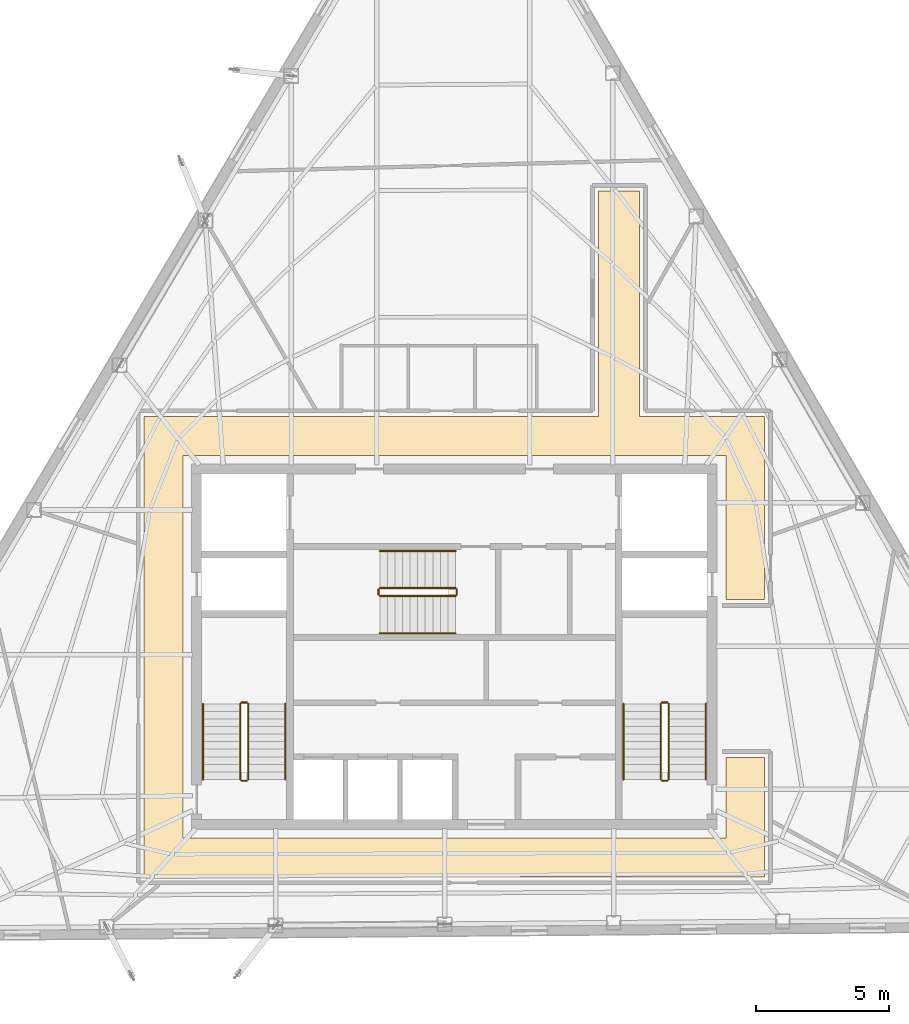
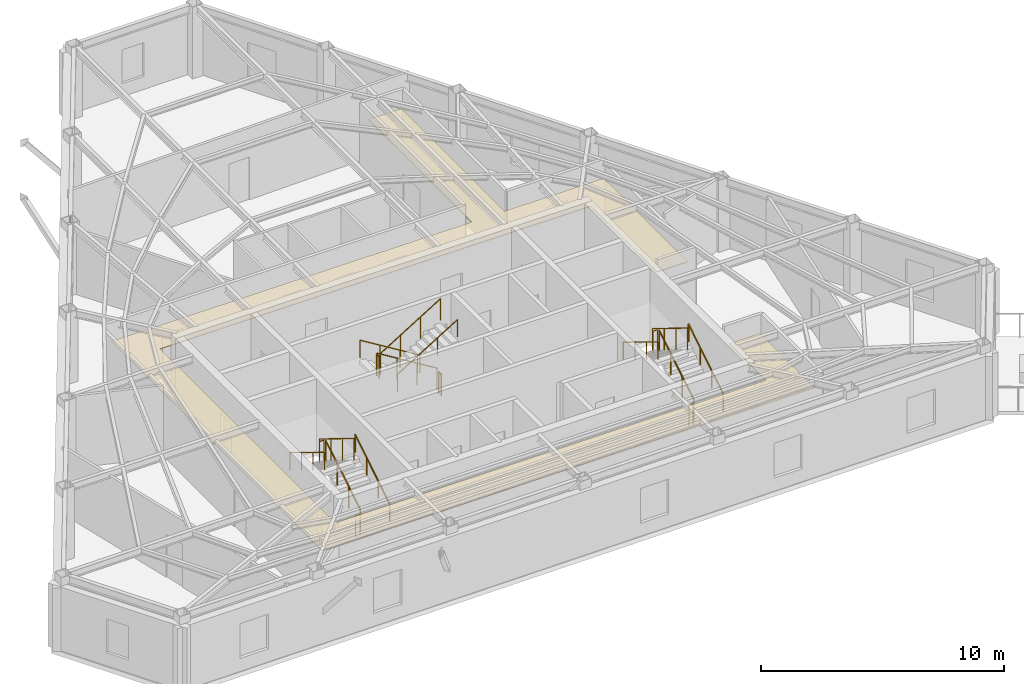
# One storey, part 9 of 10: 18 railings, 1 covering.
"""IFC4 building model written with IfcOpenShell, lengths in metres."""

from ifc_helpers import new_model, si_unit, direction, frame, origin, origin_2d, place, context, subcontext, project, spatial, polyline, circle, outline, extrude, material, layer, layer_set, type_object, element, save


model = new_model("IFC4")

# Units and contexts
model_context = context("Model", 3, precision=1e-05, world=origin(), true_north=direction((0.0, 1.0)))
body_context = subcontext(model_context, "Body", "Model", "MODEL_VIEW")
ifc_project = project(units=[si_unit("LENGTHUNIT", "METRE"), si_unit("AREAUNIT", "SQUARE_METRE"), si_unit("VOLUMEUNIT", "CUBIC_METRE"), si_unit("PLANEANGLEUNIT", "RADIAN"), si_unit("MASSUNIT", "GRAM", prefix="KILO")], contexts=[model_context])

# Site, building, storey
site_placement = place(None, origin())
site = spatial("IfcSite", under=ifc_project, at=site_placement, CompositionType="ELEMENT")
building_placement = place(site_placement, origin())
building = spatial("IfcBuilding", under=site, at=building_placement, Name="Kavelnor Concourse Tower", CompositionType="ELEMENT")
storey_placement = place(building_placement, frame((0.0, 0.0, 281.85009765625)))
storey = spatial("IfcBuildingStorey", under=building, at=storey_placement, Name="L71", CompositionType="ELEMENT", Elevation=281.85009765625)

# Covering
ifc_material_1 = material(Name="Mineral fibre acoustic ceiling tile")
ifc_layer = layer(ifc_material_1, 0.0400390625, Name="Mineral fibre acoustic ceiling tile")
ifc_layer_set = layer_set([ifc_layer], Name="Mineral fibre acoustic ceiling tile")
covering_type = type_object("IfcCoveringType", Name="COV-CEILING-ACOUSTIC", PredefinedType="CEILING", material=ifc_layer_set)
covering_placement = place(storey_placement, frame((0.0, 0.0, 2.75)))
element("IfcCovering", 1, at=covering_placement, inside=storey, type_object=covering_type, Name="L71 Suspended Acoustic Ceiling", PredefinedType="CEILING", context=body_context, shape_type="SweptSolid", body=[
    extrude(outline(polyline([(44.97998046875, 24.77001953125), (49.68994140625, 24.77001953125), (49.68994140625, 17.8701171875), (48.22998046875, 17.8701171875), (48.22998046875, 23.31005859375), (27.77001953125, 23.31005859375), (27.77001953125, 8.889892578125), (48.22998046875, 8.889892578125), (48.22998046875, 11.929931640625), (49.68994140625, 11.929931640625), (49.68994140625, 7.429931640625), (26.31005859375, 7.429931640625), (26.31005859375, 24.77001953125), (43.419921875, 24.77001953125), (43.419921875, 33.26220703125), (44.97998046875, 33.26220703125), (44.97998046875, 24.77001953125)])), origin(), (0.0, 0.0, 1.0), 0.039794921875),
])

# Railings
ifc_material_2 = material(Name="Steel Grade 350", Category="steel")
railing_type_1 = type_object("IfcRailingType", Name="RLG-GUARD-1100", PredefinedType="GUARDRAIL", material=ifc_material_2)
railing_1_placement = place(storey_placement, frame((30.22998046875, 11.10009765625, 0.1748046875)))
element("IfcRailing", 2, at=railing_1_placement, inside=storey, type_object=railing_type_1, Name="L71 ST1 stair guard 1", PredefinedType="GUARDRAIL", context=body_context, shape_type="SweptSolid", body=[
    extrude(circle(Radius=0.02392578125, at=origin_2d()), frame((0.0, 0.0, 1.076171875), z_axis=(0.0, 0.852159232446, 0.523282564737), x_axis=(-1.0, 0.0, 0.0)), (0.0, 0.0, 1.0), 3.34423828125),
    extrude(circle(Radius=0.02099609375, at=origin_2d()), origin(), (0.0, 0.0, 1.0), 1.052001953125),
    extrude(circle(Radius=0.02099609375, at=origin_2d()), frame((0.0, 0.949951171875, 0.583251953125)), (0.0, 0.0, 1.0), 1.052001953125),
    extrude(circle(Radius=0.02099609375, at=origin_2d()), frame((0.0, 1.89990234375, 1.166748046875)), (0.0, 0.0, 1.0), 1.052001953125),
    extrude(circle(Radius=0.02099609375, at=origin_2d()), frame((0.0, 2.849853515625, 1.75)), (0.0, 0.0, 1.0), 1.052001953125),
])
railing_2_placement = place(storey_placement, frame((30.179931640625, 14.0, 1.9248046875)))
element("IfcRailing", 3, at=railing_2_placement, inside=storey, type_object=railing_type_1, Name="L71 ST1 stair guard 2", PredefinedType="GUARDRAIL", context=body_context, shape_type="SweptSolid", body=[
    extrude(circle(Radius=0.02392578125, at=origin_2d()), frame((0.0, 0.0, 1.076171875), z_axis=(-1.0, 0.0, 0.0), x_axis=(0.0, -1.0, 0.0)), (0.0, 0.0, 1.0), 0.199951171875),
    extrude(circle(Radius=0.02099609375, at=origin_2d()), origin(), (0.0, 0.0, 1.0), 1.052001953125),
    extrude(circle(Radius=0.02099609375, at=origin_2d()), frame((-0.199951171875, 0.0, 0.0)), (0.0, 0.0, 1.0), 1.052001953125),
])
railing_3_placement = place(storey_placement, frame((29.929931640625, 13.949951171875, 2.099853515625)))
element("IfcRailing", 4, at=railing_3_placement, inside=storey, type_object=railing_type_1, Name="L71 ST1 stair guard 3", PredefinedType="GUARDRAIL", context=body_context, shape_type="SweptSolid", body=[
    extrude(circle(Radius=0.02392578125, at=origin_2d()), frame((0.0, 0.0, 1.076171875), z_axis=(0.0, -0.852159232446, 0.523282564737), x_axis=(1.0, 0.0, 0.0)), (0.0, 0.0, 1.0), 3.34423828125),
    extrude(circle(Radius=0.02099609375, at=origin_2d()), origin(), (0.0, 0.0, 1.0), 1.052001953125),
    extrude(circle(Radius=0.02099609375, at=origin_2d()), frame((0.0, -0.949951171875, 0.583251953125)), (0.0, 0.0, 1.0), 1.052001953125),
    extrude(circle(Radius=0.02099609375, at=origin_2d()), frame((0.0, -1.89990234375, 1.166748046875)), (0.0, 0.0, 1.0), 1.052001953125),
    extrude(circle(Radius=0.02099609375, at=origin_2d()), frame((0.0, -2.849853515625, 1.75)), (0.0, 0.0, 1.0), 1.052001953125),
])
railing_4_placement = place(storey_placement, frame((30.179931640625, 11.050048828125, 0.0)))
element("IfcRailing", 5, at=railing_4_placement, inside=storey, type_object=railing_type_1, Name="L71 ST1 stair guard 4", PredefinedType="GUARDRAIL", context=body_context, shape_type="SweptSolid", body=[
    extrude(circle(Radius=0.02392578125, at=origin_2d()), frame((0.0, 0.0, 1.076171875), z_axis=(-1.0, 0.0, 0.0), x_axis=(0.0, -1.0, 0.0)), (0.0, 0.0, 1.0), 0.199951171875),
    extrude(circle(Radius=0.02099609375, at=origin_2d()), origin(), (0.0, 0.0, 1.0), 1.052001953125),
    extrude(circle(Radius=0.02099609375, at=origin_2d()), frame((-0.199951171875, 0.0, 0.0)), (0.0, 0.0, 1.0), 1.052001953125),
])
railing_5_placement = place(storey_placement, frame((46.070068359375, 11.10009765625, 0.1748046875)))
element("IfcRailing", 6, at=railing_5_placement, inside=storey, type_object=railing_type_1, Name="L71 ST2 stair guard 1", PredefinedType="GUARDRAIL", context=body_context, shape_type="SweptSolid", body=[
    extrude(circle(Radius=0.02392578125, at=origin_2d()), frame((0.0, 0.0, 1.076171875), z_axis=(0.0, 0.852159232446, 0.523282564737), x_axis=(-1.0, 0.0, 0.0)), (0.0, 0.0, 1.0), 3.34423828125),
    extrude(circle(Radius=0.02099609375, at=origin_2d()), origin(), (0.0, 0.0, 1.0), 1.052001953125),
    extrude(circle(Radius=0.02099609375, at=origin_2d()), frame((0.0, 0.949951171875, 0.583251953125)), (0.0, 0.0, 1.0), 1.052001953125),
    extrude(circle(Radius=0.02099609375, at=origin_2d()), frame((0.0, 1.89990234375, 1.166748046875)), (0.0, 0.0, 1.0), 1.052001953125),
    extrude(circle(Radius=0.02099609375, at=origin_2d()), frame((0.0, 2.849853515625, 1.75)), (0.0, 0.0, 1.0), 1.052001953125),
])
railing_6_placement = place(storey_placement, frame((46.02001953125, 14.0, 1.9248046875)))
element("IfcRailing", 7, at=railing_6_placement, inside=storey, type_object=railing_type_1, Name="L71 ST2 stair guard 2", PredefinedType="GUARDRAIL", context=body_context, shape_type="SweptSolid", body=[
    extrude(circle(Radius=0.02392578125, at=origin_2d()), frame((0.0, 0.0, 1.076171875), z_axis=(-1.0, 0.0, 0.0), x_axis=(0.0, -1.0, 0.0)), (0.0, 0.0, 1.0), 0.199951171875),
    extrude(circle(Radius=0.02099609375, at=origin_2d()), origin(), (0.0, 0.0, 1.0), 1.052001953125),
    extrude(circle(Radius=0.02099609375, at=origin_2d()), frame((-0.199951171875, 0.0, 0.0)), (0.0, 0.0, 1.0), 1.052001953125),
])
railing_7_placement = place(storey_placement, frame((45.77001953125, 13.949951171875, 2.099853515625)))
element("IfcRailing", 8, at=railing_7_placement, inside=storey, type_object=railing_type_1, Name="L71 ST2 stair guard 3", PredefinedType="GUARDRAIL", context=body_context, shape_type="SweptSolid", body=[
    extrude(circle(Radius=0.02392578125, at=origin_2d()), frame((0.0, 0.0, 1.076171875), z_axis=(0.0, -0.852159232446, 0.523282564737), x_axis=(1.0, 0.0, 0.0)), (0.0, 0.0, 1.0), 3.34423828125),
    extrude(circle(Radius=0.02099609375, at=origin_2d()), origin(), (0.0, 0.0, 1.0), 1.052001953125),
    extrude(circle(Radius=0.02099609375, at=origin_2d()), frame((0.0, -0.949951171875, 0.583251953125)), (0.0, 0.0, 1.0), 1.052001953125),
    extrude(circle(Radius=0.02099609375, at=origin_2d()), frame((0.0, -1.89990234375, 1.166748046875)), (0.0, 0.0, 1.0), 1.052001953125),
    extrude(circle(Radius=0.02099609375, at=origin_2d()), frame((0.0, -2.849853515625, 1.75)), (0.0, 0.0, 1.0), 1.052001953125),
])
railing_8_placement = place(storey_placement, frame((46.02001953125, 11.050048828125, 0.0)))
element("IfcRailing", 9, at=railing_8_placement, inside=storey, type_object=railing_type_1, Name="L71 ST2 stair guard 4", PredefinedType="GUARDRAIL", context=body_context, shape_type="SweptSolid", body=[
    extrude(circle(Radius=0.02392578125, at=origin_2d()), frame((0.0, 0.0, 1.076171875), z_axis=(-1.0, 0.0, 0.0), x_axis=(0.0, -1.0, 0.0)), (0.0, 0.0, 1.0), 0.199951171875),
    extrude(circle(Radius=0.02099609375, at=origin_2d()), origin(), (0.0, 0.0, 1.0), 1.052001953125),
    extrude(circle(Radius=0.02099609375, at=origin_2d()), frame((-0.199951171875, 0.0, 0.0)), (0.0, 0.0, 1.0), 1.052001953125),
])
railing_9_placement = place(storey_placement, frame((38.0400390625, 18.31005859375, 0.1748046875)))
element("IfcRailing", 10, at=railing_9_placement, inside=storey, type_object=railing_type_1, Name="L71 ST3 stair guard 1", PredefinedType="GUARDRAIL", context=body_context, shape_type="SweptSolid", body=[
    extrude(circle(Radius=0.02392578125, at=origin_2d()), frame((0.0, 0.0, 1.076171875), z_axis=(-0.852179220489, 0.0, 0.52325001306), x_axis=(0.0, -1.0, 0.0)), (0.0, 0.0, 1.0), 3.344482421875),
    extrude(circle(Radius=0.02099609375, at=origin_2d()), origin(), (0.0, 0.0, 1.0), 1.052001953125),
    extrude(circle(Radius=0.02099609375, at=origin_2d()), frame((-0.949951171875, 0.0, 0.583251953125)), (0.0, 0.0, 1.0), 1.052001953125),
    extrude(circle(Radius=0.02099609375, at=origin_2d()), frame((-1.900146484375, 0.0, 1.166748046875)), (0.0, 0.0, 1.0), 1.052001953125),
    extrude(circle(Radius=0.02099609375, at=origin_2d()), frame((-2.85009765625, 0.0, 1.75)), (0.0, 0.0, 1.0), 1.052001953125),
])
railing_10_placement = place(storey_placement, frame((35.139892578125, 18.260009765625, 1.9248046875)))
element("IfcRailing", 11, at=railing_10_placement, inside=storey, type_object=railing_type_1, Name="L71 ST3 stair guard 2", PredefinedType="GUARDRAIL", context=body_context, shape_type="SweptSolid", body=[
    extrude(circle(Radius=0.02392578125, at=origin_2d()), frame((0.0, 0.0, 1.076171875), z_axis=(0.0, -1.0, 0.0), x_axis=(1.0, 0.0, 0.0)), (0.0, 0.0, 1.0), 0.199951171875),
    extrude(circle(Radius=0.02099609375, at=origin_2d()), origin(), (0.0, 0.0, 1.0), 1.052001953125),
    extrude(circle(Radius=0.02099609375, at=origin_2d()), frame((0.0, -0.199951171875, 0.0)), (0.0, 0.0, 1.0), 1.052001953125),
])
railing_11_placement = place(storey_placement, frame((35.18994140625, 18.010009765625, 2.099853515625)))
element("IfcRailing", 12, at=railing_11_placement, inside=storey, type_object=railing_type_1, Name="L71 ST3 stair guard 3", PredefinedType="GUARDRAIL", context=body_context, shape_type="SweptSolid", body=[
    extrude(circle(Radius=0.02392578125, at=origin_2d()), frame((0.0, 0.0, 1.076171875), z_axis=(0.852179220489, 0.0, 0.52325001306), x_axis=(0.0, 1.0, 0.0)), (0.0, 0.0, 1.0), 3.344482421875),
    extrude(circle(Radius=0.02099609375, at=origin_2d()), origin(), (0.0, 0.0, 1.0), 1.052001953125),
    extrude(circle(Radius=0.02099609375, at=origin_2d()), frame((0.949951171875, 0.0, 0.583251953125)), (0.0, 0.0, 1.0), 1.052001953125),
    extrude(circle(Radius=0.02099609375, at=origin_2d()), frame((1.900146484375, 0.0, 1.166748046875)), (0.0, 0.0, 1.0), 1.052001953125),
    extrude(circle(Radius=0.02099609375, at=origin_2d()), frame((2.85009765625, 0.0, 1.75)), (0.0, 0.0, 1.0), 1.052001953125),
])
railing_12_placement = place(storey_placement, frame((38.090087890625, 18.260009765625, 0.0)))
element("IfcRailing", 13, at=railing_12_placement, inside=storey, type_object=railing_type_1, Name="L71 ST3 stair guard 4", PredefinedType="GUARDRAIL", context=body_context, shape_type="SweptSolid", body=[
    extrude(circle(Radius=0.02392578125, at=origin_2d()), frame((0.0, 0.0, 1.076171875), z_axis=(0.0, -1.0, 0.0), x_axis=(1.0, 0.0, 0.0)), (0.0, 0.0, 1.0), 0.199951171875),
    extrude(circle(Radius=0.02099609375, at=origin_2d()), origin(), (0.0, 0.0, 1.0), 1.052001953125),
    extrude(circle(Radius=0.02099609375, at=origin_2d()), frame((0.0, -0.199951171875, 0.0)), (0.0, 0.0, 1.0), 1.052001953125),
])
railing_type_2 = type_object("IfcRailingType", Name="RLG-HANDRAIL-900", PredefinedType="HANDRAIL", material=ifc_material_2)
railing_13_placement = place(storey_placement, frame((31.6298828125, 11.10009765625, 0.1748046875)))
element("IfcRailing", 14, at=railing_13_placement, inside=storey, type_object=railing_type_2, Name="L71 ST1 stair handrail 1", PredefinedType="HANDRAIL", context=body_context, shape_type="SweptSolid", body=[
    extrude(circle(Radius=0.02392578125, at=origin_2d()), frame((0.0, 0.0, 0.8759765625), z_axis=(0.0, 0.852159232446, 0.523282564737), x_axis=(-1.0, 0.0, 0.0)), (0.0, 0.0, 1.0), 3.34423828125),
    extrude(circle(Radius=0.02099609375, at=origin_2d()), origin(), (0.0, 0.0, 1.0), 0.851806640625),
    extrude(circle(Radius=0.02099609375, at=origin_2d()), frame((0.0, 0.949951171875, 0.583251953125)), (0.0, 0.0, 1.0), 0.851806640625),
    extrude(circle(Radius=0.02099609375, at=origin_2d()), frame((0.0, 1.89990234375, 1.166748046875)), (0.0, 0.0, 1.0), 0.851806640625),
    extrude(circle(Radius=0.02099609375, at=origin_2d()), frame((0.0, 2.849853515625, 1.75)), (0.0, 0.0, 1.0), 0.851806640625),
])
railing_14_placement = place(storey_placement, frame((28.530029296875, 13.949951171875, 2.099853515625)))
element("IfcRailing", 15, at=railing_14_placement, inside=storey, type_object=railing_type_2, Name="L71 ST1 stair handrail 2", PredefinedType="HANDRAIL", context=body_context, shape_type="SweptSolid", body=[
    extrude(circle(Radius=0.02392578125, at=origin_2d()), frame((0.0, 0.0, 0.8759765625), z_axis=(0.0, -0.852159232446, 0.523282564737), x_axis=(1.0, 0.0, 0.0)), (0.0, 0.0, 1.0), 3.34423828125),
    extrude(circle(Radius=0.02099609375, at=origin_2d()), origin(), (0.0, 0.0, 1.0), 0.851806640625),
    extrude(circle(Radius=0.02099609375, at=origin_2d()), frame((0.0, -0.949951171875, 0.583251953125)), (0.0, 0.0, 1.0), 0.851806640625),
    extrude(circle(Radius=0.02099609375, at=origin_2d()), frame((0.0, -1.89990234375, 1.166748046875)), (0.0, 0.0, 1.0), 0.851806640625),
    extrude(circle(Radius=0.02099609375, at=origin_2d()), frame((0.0, -2.849853515625, 1.75)), (0.0, 0.0, 1.0), 0.851806640625),
])
railing_15_placement = place(storey_placement, frame((47.469970703125, 11.10009765625, 0.1748046875)))
element("IfcRailing", 16, at=railing_15_placement, inside=storey, type_object=railing_type_2, Name="L71 ST2 stair handrail 1", PredefinedType="HANDRAIL", context=body_context, shape_type="SweptSolid", body=[
    extrude(circle(Radius=0.02392578125, at=origin_2d()), frame((0.0, 0.0, 0.8759765625), z_axis=(0.0, 0.852159232446, 0.523282564737), x_axis=(-1.0, 0.0, 0.0)), (0.0, 0.0, 1.0), 3.34423828125),
    extrude(circle(Radius=0.02099609375, at=origin_2d()), origin(), (0.0, 0.0, 1.0), 0.851806640625),
    extrude(circle(Radius=0.02099609375, at=origin_2d()), frame((0.0, 0.949951171875, 0.583251953125)), (0.0, 0.0, 1.0), 0.851806640625),
    extrude(circle(Radius=0.02099609375, at=origin_2d()), frame((0.0, 1.89990234375, 1.166748046875)), (0.0, 0.0, 1.0), 0.851806640625),
    extrude(circle(Radius=0.02099609375, at=origin_2d()), frame((0.0, 2.849853515625, 1.75)), (0.0, 0.0, 1.0), 0.851806640625),
])
railing_16_placement = place(storey_placement, frame((44.3701171875, 13.949951171875, 2.099853515625)))
element("IfcRailing", 17, at=railing_16_placement, inside=storey, type_object=railing_type_2, Name="L71 ST2 stair handrail 2", PredefinedType="HANDRAIL", context=body_context, shape_type="SweptSolid", body=[
    extrude(circle(Radius=0.02392578125, at=origin_2d()), frame((0.0, 0.0, 0.8759765625), z_axis=(0.0, -0.852159232446, 0.523282564737), x_axis=(1.0, 0.0, 0.0)), (0.0, 0.0, 1.0), 3.34423828125),
    extrude(circle(Radius=0.02099609375, at=origin_2d()), origin(), (0.0, 0.0, 1.0), 0.851806640625),
    extrude(circle(Radius=0.02099609375, at=origin_2d()), frame((0.0, -0.949951171875, 0.583251953125)), (0.0, 0.0, 1.0), 0.851806640625),
    extrude(circle(Radius=0.02099609375, at=origin_2d()), frame((0.0, -1.89990234375, 1.166748046875)), (0.0, 0.0, 1.0), 0.851806640625),
    extrude(circle(Radius=0.02099609375, at=origin_2d()), frame((0.0, -2.849853515625, 1.75)), (0.0, 0.0, 1.0), 0.851806640625),
])
railing_17_placement = place(storey_placement, frame((38.0400390625, 19.7099609375, 0.1748046875)))
element("IfcRailing", 18, at=railing_17_placement, inside=storey, type_object=railing_type_2, Name="L71 ST3 stair handrail 1", PredefinedType="HANDRAIL", context=body_context, shape_type="SweptSolid", body=[
    extrude(circle(Radius=0.02392578125, at=origin_2d()), frame((0.0, 0.0, 0.8759765625), z_axis=(-0.852179220489, 0.0, 0.52325001306), x_axis=(0.0, -1.0, 0.0)), (0.0, 0.0, 1.0), 3.344482421875),
    extrude(circle(Radius=0.02099609375, at=origin_2d()), origin(), (0.0, 0.0, 1.0), 0.851806640625),
    extrude(circle(Radius=0.02099609375, at=origin_2d()), frame((-0.949951171875, 0.0, 0.583251953125)), (0.0, 0.0, 1.0), 0.851806640625),
    extrude(circle(Radius=0.02099609375, at=origin_2d()), frame((-1.900146484375, 0.0, 1.166748046875)), (0.0, 0.0, 1.0), 0.851806640625),
    extrude(circle(Radius=0.02099609375, at=origin_2d()), frame((-2.85009765625, 0.0, 1.75)), (0.0, 0.0, 1.0), 0.851806640625),
])
railing_18_placement = place(storey_placement, frame((35.18994140625, 16.610107421875, 2.099853515625)))
element("IfcRailing", 19, at=railing_18_placement, inside=storey, type_object=railing_type_2, Name="L71 ST3 stair handrail 2", PredefinedType="HANDRAIL", context=body_context, shape_type="SweptSolid", body=[
    extrude(circle(Radius=0.02392578125, at=origin_2d()), frame((0.0, 0.0, 0.8759765625), z_axis=(0.852179220489, 0.0, 0.52325001306), x_axis=(0.0, 1.0, 0.0)), (0.0, 0.0, 1.0), 3.344482421875),
    extrude(circle(Radius=0.02099609375, at=origin_2d()), origin(), (0.0, 0.0, 1.0), 0.851806640625),
    extrude(circle(Radius=0.02099609375, at=origin_2d()), frame((0.949951171875, 0.0, 0.583251953125)), (0.0, 0.0, 1.0), 0.851806640625),
    extrude(circle(Radius=0.02099609375, at=origin_2d()), frame((1.900146484375, 0.0, 1.166748046875)), (0.0, 0.0, 1.0), 0.851806640625),
    extrude(circle(Radius=0.02099609375, at=origin_2d()), frame((2.85009765625, 0.0, 1.75)), (0.0, 0.0, 1.0), 0.851806640625),
])

save(model, "model.ifc")
